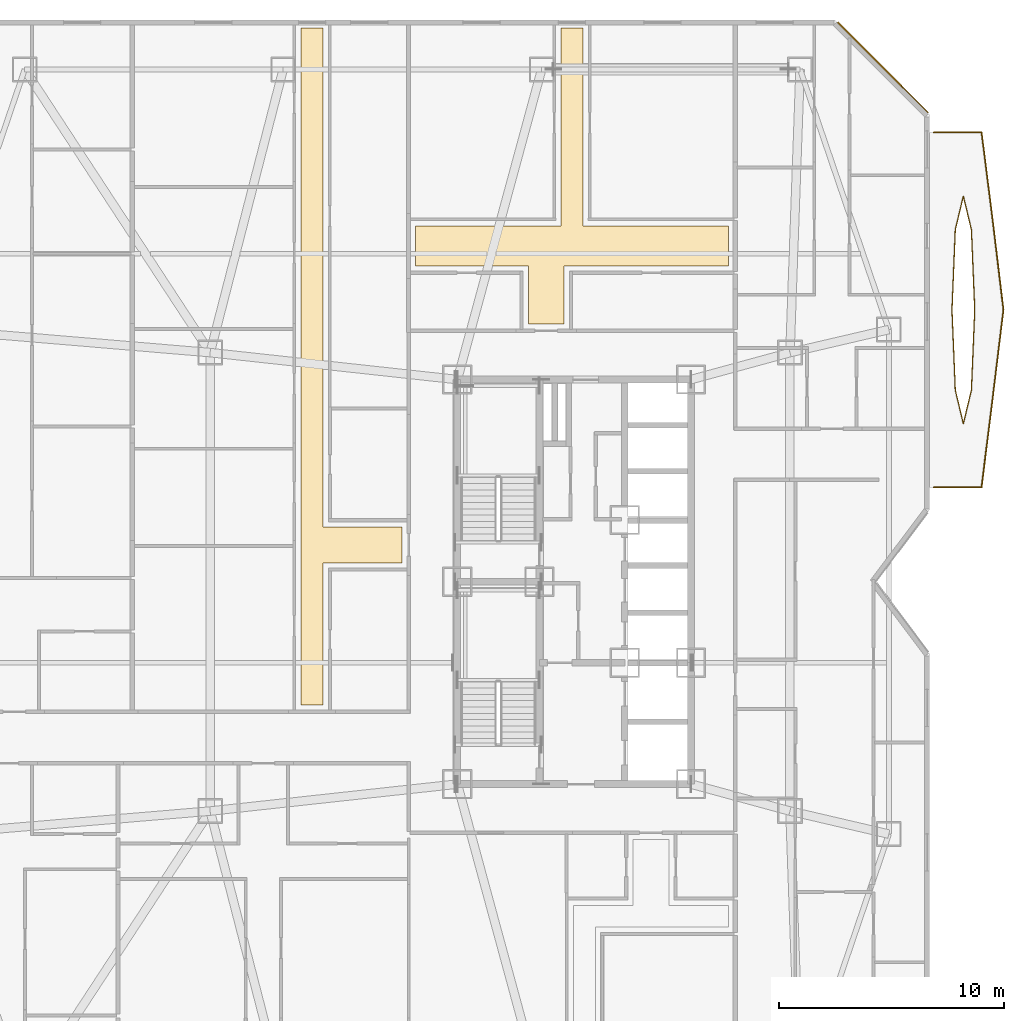
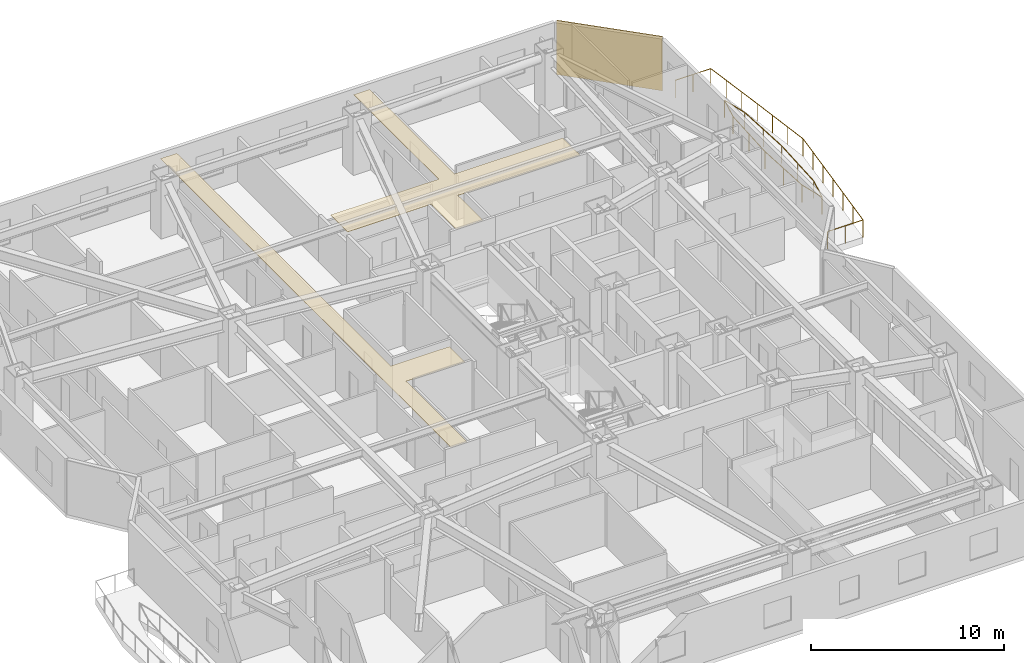
# One storey, part 17 of 17: 4 railings, 3 coverings.
"""IFC4 building model written with IfcOpenShell, lengths in metres."""

import ifcopenshell
import ifcopenshell.guid

model = None  # the IFC model being written
_history = None  # IfcOwnerHistory: only IFC2X3 demands one
_inside = {}  # id of a spatial element -> (the spatial element, [elements in it])
_under = {}  # id of a project, library or spatial element -> (it, [spatial elements below it])
_declared = {}  # id of a project -> (the project, [libraries it declares])
_typed = {}  # id of a type object -> (the type object, [elements of that type])
_made_of = {}  # id of a material, layer set ... -> (it, [elements and type objects made of it])


def new_model(schema):
    """Start an empty IFC model of exactly this schema.

    Asked for "IFC4X3", IfcOpenShell would pick the latest addendum, in which some entities
    have other attributes; the version numbers below select the first issue.
    IFC2X3 requires an IfcOwnerHistory on every rooted entity: one is made here for all.
    """
    global model, _history
    if schema == "IFC4X3":
        model = ifcopenshell.file(schema_version=(4, 3, 0, 0))
    else:
        model = ifcopenshell.file(schema=schema)
    _inside.clear()
    _under.clear()
    _declared.clear()
    _typed.clear()
    _made_of.clear()
    _history = None
    if model.schema == "IFC2X3":
        org = make("IfcOrganization", Name="unknown")
        user = make(
            "IfcPersonAndOrganization",
            ThePerson=make("IfcPerson", FamilyName="unknown"),
            TheOrganization=org,
        )
        app = make(
            "IfcApplication",
            ApplicationDeveloper=org,
            Version="unknown",
            ApplicationFullName="unknown",
            ApplicationIdentifier="unknown",
        )
        _history = make(
            "IfcOwnerHistory",
            OwningUser=user,
            OwningApplication=app,
            ChangeAction="ADDED",
            CreationDate=0,
        )
    return model


def make(cls, **values):
    """One entity of the class cls with the attributes given. An attribute that is None is left unset."""
    return model.create_entity(
        cls, **{name: value for name, value in values.items() if value is not None}
    )


def rooted(cls, **values):
    """An entity with a GlobalId (a new one), such as an element, a storey or a relation."""
    return make(cls, GlobalId=ifcopenshell.guid.new(), OwnerHistory=_history, **values)


def si_unit(unit_type, name, prefix=None):
    """IfcSIUnit, for example si_unit("LENGTHUNIT", "METRE", prefix="MILLI")."""
    return make("IfcSIUnit", UnitType=unit_type, Prefix=prefix, Name=name)


def assignment(units):
    """IfcUnitAssignment: the units of a project."""
    return None if units is None else make("IfcUnitAssignment", Units=units)


def point(xyz):
    """IfcCartesianPoint."""
    return None if xyz is None else make("IfcCartesianPoint", Coordinates=xyz)


def direction(xyz):
    """IfcDirection."""
    return None if xyz is None else make("IfcDirection", DirectionRatios=xyz)


def frame(location, z_axis=None, x_axis=None):
    """IfcAxis2Placement3D, a coordinate frame: its origin and axes. An axis left out is left unset."""
    return make(
        "IfcAxis2Placement3D",
        Location=point(location),
        Axis=direction(z_axis),
        RefDirection=direction(x_axis),
    )


def frame_2d(location, x_axis=None):
    """IfcAxis2Placement2D, a coordinate frame in the plane: its origin and x axis."""
    return make(
        "IfcAxis2Placement2D", Location=point(location), RefDirection=direction(x_axis)
    )


def origin():
    """The frame at (0, 0, 0) with its axes left unset."""
    return frame((0.0, 0.0, 0.0))


def origin_2d():
    """The frame at (0, 0) in the plane with its x axis left unset."""
    return frame_2d((0.0, 0.0))


def place(relative_to, where):
    """IfcLocalPlacement: puts the frame where relative to a parent placement (None: the world)."""
    return make(
        "IfcLocalPlacement", PlacementRelTo=relative_to, RelativePlacement=where
    )


def context(
    kind, dimensions, precision=None, world=None, true_north=None, identifier=None
):
    """IfcGeometricRepresentationContext, for example the 3D "Model" context."""
    return make(
        "IfcGeometricRepresentationContext",
        ContextIdentifier=identifier,
        ContextType=kind,
        CoordinateSpaceDimension=dimensions,
        Precision=precision,
        WorldCoordinateSystem=world,
        TrueNorth=true_north,
    )


def subcontext(parent, identifier, kind, view, scale=None):
    """IfcGeometricRepresentationSubContext, for example "Body" below "Model"."""
    return make(
        "IfcGeometricRepresentationSubContext",
        ContextIdentifier=identifier,
        ContextType=kind,
        ParentContext=parent,
        TargetScale=scale,
        TargetView=view,
    )


def project(units=None, contexts=None):
    """IfcProject with its units and contexts."""
    return rooted(
        "IfcProject",
        Name="project",
        RepresentationContexts=contexts,
        UnitsInContext=assignment(units),
    )


def spatial(cls, under=None, at=None, **own):
    """A site, building, storey or space (cls), placed at a placement, below another one or the project."""
    s = rooted(cls, ObjectPlacement=at, **own)
    if under is not None:
        _under.setdefault(under.id(), (under, []))[1].append(s)
    return s


def polyline(points):
    """IfcPolyline through the points."""
    return make("IfcPolyline", Points=[point(p) for p in points])


def profile(cls, at=None, kind="AREA", **sizes):
    """A parametric profile (cls). Its sizes go by their IFC names, for example OverallWidth=200.0."""
    return make(cls, ProfileType=kind, Position=at, **sizes)


def rectangle(**sizes):
    """IfcRectangleProfileDef."""
    return profile("IfcRectangleProfileDef", **sizes)


def circle(**sizes):
    """IfcCircleProfileDef."""
    return profile("IfcCircleProfileDef", **sizes)


def outline(outer, holes=None, kind="AREA"):
    """IfcArbitraryClosedProfileDef: a profile drawn as a closed curve; with holes, ...WithVoids."""
    if holes is None:
        return make("IfcArbitraryClosedProfileDef", ProfileType=kind, OuterCurve=outer)
    return make(
        "IfcArbitraryProfileDefWithVoids",
        ProfileType=kind,
        OuterCurve=outer,
        InnerCurves=holes,
    )


def extrude(swept, where, along, depth):
    """IfcExtrudedAreaSolid: the profile swept, set in the frame where, extruded along a direction by depth."""
    return make(
        "IfcExtrudedAreaSolid",
        SweptArea=swept,
        Position=where,
        ExtrudedDirection=direction(along),
        Depth=depth,
    )


def shape(context_of_items, identifier, shape_type, items):
    """IfcShapeRepresentation: the items that make up one representation, for example the "Body"."""
    return make(
        "IfcShapeRepresentation",
        ContextOfItems=context_of_items,
        RepresentationIdentifier=identifier,
        RepresentationType=shape_type,
        Items=items,
    )


def material(Name=None, Category=None):
    """IfcMaterial."""
    return make("IfcMaterial", Name=Name, Category=Category)


def layer(
    of_material, thickness, ventilated=None, Name=None, Category=None, Priority=None
):
    """IfcMaterialLayer: one layer of a wall or slab, of a material (None: an air gap)."""
    return make(
        "IfcMaterialLayer",
        Material=of_material,
        LayerThickness=thickness,
        IsVentilated=ventilated,
        Name=Name,
        Category=Category,
        Priority=Priority,
    )


def layer_set(layers, Name=None):
    """IfcMaterialLayerSet."""
    return make("IfcMaterialLayerSet", MaterialLayers=layers, LayerSetName=Name)


def made_of(thing, what):
    """Note that an element or type object is made of a material, layer set ...; save() writes the relation."""
    if what is not None:
        _made_of.setdefault(what.id(), (what, []))[1].append(thing)
    return thing


def type_object(cls, material=None, **own):
    """A type object (cls), such as IfcWallType, which elements share."""
    return made_of(rooted(cls, **own), material)


def element(
    cls,
    number,
    at=None,
    inside=None,
    cuts=None,
    type_object=None,
    material=None,
    context=None,
    identifier="Body",
    shape_type=None,
    held_by="IfcProductDefinitionShape",
    body=None,
    shapes=None,
    **own,
):
    """One element of the class cls, such as IfcWall. Its Tag is "e" and its number.

    at: its placement. inside: the storey or other place that contains it. cuts: it is an
    opening in that element (IfcRelVoidsElement). A single representation is given by context,
    identifier, shape_type and body (its items); several are given by shapes. held_by: the class
    of the entity that holds the representations. save() writes the other relations.
    """
    e = rooted(cls, Tag="e%d" % number, ObjectPlacement=at, **own)
    if body is not None:
        shapes = [shape(context, identifier, shape_type, body)]
    if shapes is not None:
        e.Representation = make(held_by, Representations=shapes)
    if inside is not None:
        _inside.setdefault(inside.id(), (inside, []))[1].append(e)
    if cuts is not None:
        rooted(
            "IfcRelVoidsElement", RelatingBuildingElement=cuts, RelatedOpeningElement=e
        )
    if type_object is not None:
        _typed.setdefault(type_object.id(), (type_object, []))[1].append(e)
    return made_of(e, material)


def aggregate(whole, parts):
    """IfcRelAggregates: a whole, such as a stair, and the parts it consists of."""
    return rooted("IfcRelAggregates", RelatingObject=whole, RelatedObjects=parts)


def save(model, path):
    """Write the relations noted so far, then the file.

    IfcRelAggregates (storeys below a building ...), IfcRelContainedInSpatialStructure (elements
    in a storey), IfcRelDefinesByType, IfcRelAssociatesMaterial and IfcRelDeclares: one each for
    every whole, place, type object, material and project.
    """
    for whole, parts in _under.values():
        aggregate(whole, parts)
    for where, things in _inside.values():
        rooted(
            "IfcRelContainedInSpatialStructure",
            RelatedElements=things,
            RelatingStructure=where,
        )
    for kind, things in _typed.values():
        rooted("IfcRelDefinesByType", RelatedObjects=things, RelatingType=kind)
    for what, things in _made_of.values():
        rooted("IfcRelAssociatesMaterial", RelatedObjects=things, RelatingMaterial=what)
    for by, libraries in _declared.values():
        rooted("IfcRelDeclares", RelatingContext=by, RelatedDefinitions=libraries)
    model.write(path)


model = new_model("IFC4")

# Units and contexts
model_context = context("Model", 3, precision=1e-05, world=origin(), true_north=direction((0.0, 1.0)))
body_context = subcontext(model_context, "Body", "Model", "MODEL_VIEW")
ifc_project = project(units=[si_unit("LENGTHUNIT", "METRE"), si_unit("AREAUNIT", "SQUARE_METRE"), si_unit("VOLUMEUNIT", "CUBIC_METRE"), si_unit("PLANEANGLEUNIT", "RADIAN"), si_unit("MASSUNIT", "GRAM", prefix="KILO")], contexts=[model_context])

# Site, building, storey
site_placement = place(None, origin())
site = spatial("IfcSite", under=ifc_project, at=site_placement, CompositionType="ELEMENT")
building_placement = place(site_placement, origin())
building = spatial("IfcBuilding", under=site, at=building_placement, Name="Khamvora Tower", CompositionType="ELEMENT")
storey_placement = place(building_placement, frame((0.0, 0.0, 44.25)))
storey = spatial("IfcBuildingStorey", under=building, at=storey_placement, Name="L10", CompositionType="ELEMENT", Elevation=44.25)

# Coverings
ifc_material_1 = material(Name="Perforated Mineral-Fibre Acoustic Ceiling Tile", Category="gypsum")
ifc_layer_1 = layer(ifc_material_1, 0.02490234375)
ifc_layer_set_1 = layer_set([ifc_layer_1], Name="Perforated Mineral-Fibre Acoustic Ceiling Tile")
covering_type_1 = type_object("IfcCoveringType", Name="COV-CEIL-600", PredefinedType="CEILING", material=ifc_layer_set_1)
covering_1_placement = place(storey_placement, frame((0.0, 0.0, 3.14990234375)))
element("IfcCovering", 1, at=covering_1_placement, inside=storey, type_object=covering_type_1, Name="L10 Apartment 10WC2 Living and Dining Room acoustic ceiling panel", PredefinedType="CEILING", context=body_context, shape_type="SweptSolid", body=[
    extrude(outline(polyline([(23.01904296875, 22.52001953125), (22.049072265625, 22.52001953125), (22.049072265625, 52.64990234375), (23.01904296875, 52.64990234375), (23.01904296875, 30.43603515625), (26.530029296875, 30.43603515625), (26.530029296875, 28.845947265625), (23.01904296875, 28.845947265625), (23.01904296875, 22.52001953125)])), origin(), (0.0, 0.0, 1.0), 0.025146484375),
])
covering_2_placement = place(storey_placement, frame((0.0, 0.0, 3.14990234375)))
element("IfcCovering", 2, at=covering_2_placement, inside=storey, type_object=covering_type_1, Name="L10 Apartment 10NA Living and Dining Room acoustic ceiling panel", PredefinedType="CEILING", context=body_context, shape_type="SweptSolid", body=[
    extrude(outline(polyline([(33.7451171875, 39.469970703125), (32.155029296875, 39.469970703125), (32.155029296875, 42.05908203125), (27.139892578125, 42.05908203125), (27.139892578125, 43.8291015625), (33.6201171875, 43.8291015625), (33.6201171875, 52.64990234375), (34.580078125, 52.64990234375), (34.580078125, 43.8291015625), (41.06005859375, 43.8291015625), (41.06005859375, 42.05908203125), (33.7451171875, 42.05908203125), (33.7451171875, 39.469970703125)])), origin(), (0.0, 0.0, 1.0), 0.025146484375),
])
ifc_material_2 = material(Name="Pale Anodised Aluminium Rainscreen Panel", Category="aluminium")
ifc_layer_2 = layer(ifc_material_2, 0.044921875)
ifc_layer_set_2 = layer_set([ifc_layer_2], Name="Pale Anodised Aluminium Rainscreen Panel")
covering_type_2 = type_object("IfcCoveringType", Name="COV-CLD-ALU", PredefinedType="CLADDING", material=ifc_layer_set_2)
covering_3_placement = place(storey_placement, frame((47.93701171875, 50.888916015625, 0.0), z_axis=(0.0, 0.0, 1.0), x_axis=(0.707106781187, -0.707106781187, 0.0)))
element("IfcCovering", 3, at=covering_3_placement, inside=storey, type_object=covering_type_2, Name="L10 chamfer rainscreen cladding 08.1", PredefinedType="CLADDING", context=body_context, shape_type="SweptSolid", body=[
    extrude(rectangle(XDim=5.680908203125, YDim=0.044921875, at=origin_2d()), origin(), (0.0, 0.0, 1.0), 3.429931640625),
])

# Railings
ifc_material_3 = material(Name="Stainless Steel 316 and Laminated Glass", Category="steel")
railing_type = type_object("IfcRailingType", Name="RAL-GAL-1120", PredefinedType="GUARDRAIL", material=ifc_material_3)
railing_1_placement = place(storey_placement, frame((50.199951171875, 32.199951171875, 0.0)))
element("IfcRailing", 4, at=railing_1_placement, inside=storey, type_object=railing_type, Name="L10 lens gallery south perimeter guardrail EL2", PredefinedType="GUARDRAIL", context=body_context, shape_type="SweptSolid", body=[
    extrude(circle(Radius=0.02392578125, at=origin_2d()), frame((0.0, 0.0, 1.09619140625), z_axis=(1.0, 0.0, 0.0), x_axis=(0.0, 1.0, 0.0)), (0.0, 0.0, 1.0), 2.125),
    extrude(circle(Radius=0.02392578125, at=origin_2d()), frame((2.125, 0.0, 1.09619140625), z_axis=(0.123589338109, 0.992333449757, 0.0), x_axis=(-0.992333449757, 0.123589338109, 0.0)), (0.0, 0.0, 1.0), 3.98046875),
    extrude(circle(Radius=0.02392578125, at=origin_2d()), frame((2.616943359375, 3.949951171875, 1.09619140625), z_axis=(0.121406738335, 0.992602842977, 0.0), x_axis=(-0.992602842977, 0.121406738335, 0.0)), (0.0, 0.0, 1.0), 3.979736328125),
    extrude(circle(Radius=0.02099609375, at=origin_2d()), origin(), (0.0, 0.0, 1.0), 1.072021484375),
    extrude(circle(Radius=0.02099609375, at=origin_2d()), frame((1.0625, 0.0, 0.0)), (0.0, 0.0, 1.0), 1.072021484375),
    extrude(circle(Radius=0.02099609375, at=origin_2d()), frame((2.125, 0.0, 0.0)), (0.0, 0.0, 1.0), 1.072021484375),
    extrude(circle(Radius=0.02099609375, at=origin_2d()), frame((2.2890625, 1.316650390625, 0.0)), (0.0, 0.0, 1.0), 1.072021484375),
    extrude(circle(Radius=0.02099609375, at=origin_2d()), frame((2.452880859375, 2.63330078125, 0.0)), (0.0, 0.0, 1.0), 1.072021484375),
    extrude(circle(Radius=0.02099609375, at=origin_2d()), frame((2.616943359375, 3.949951171875, 0.0)), (0.0, 0.0, 1.0), 1.072021484375),
    extrude(circle(Radius=0.02099609375, at=origin_2d()), frame((2.778076171875, 5.2666015625, 0.0)), (0.0, 0.0, 1.0), 1.072021484375),
    extrude(circle(Radius=0.02099609375, at=origin_2d()), frame((2.93896484375, 6.58349609375, 0.0)), (0.0, 0.0, 1.0), 1.072021484375),
    extrude(circle(Radius=0.02099609375, at=origin_2d()), frame((3.10009765625, 7.900146484375, 0.0)), (0.0, 0.0, 1.0), 1.072021484375),
])
railing_2_placement = place(storey_placement, frame((53.300048828125, 40.10009765625, 0.0)))
element("IfcRailing", 5, at=railing_2_placement, inside=storey, type_object=railing_type, Name="L10 lens gallery north perimeter guardrail EL2", PredefinedType="GUARDRAIL", context=body_context, shape_type="SweptSolid", body=[
    extrude(circle(Radius=0.02392578125, at=origin_2d()), frame((0.0, 0.0, 1.09619140625), z_axis=(-0.118934682724, 0.992902080391, 0.0), x_axis=(-0.992902080391, -0.118934682724, 0.0)), (0.0, 0.0, 1.0), 3.978271484375),
    extrude(circle(Radius=0.02392578125, at=origin_2d()), frame((-0.47314453125, 3.949951171875, 1.09619140625), z_axis=(-0.125823111741, 0.992052692427, 0.0), x_axis=(-0.992052692427, -0.125823111741, 0.0)), (0.0, 0.0, 1.0), 3.981689453125),
    extrude(circle(Radius=0.02392578125, at=origin_2d()), frame((-0.97412109375, 7.89990234375, 1.09619140625), z_axis=(-1.0, 0.0, 0.0), x_axis=(0.0, -1.0, 0.0)), (0.0, 0.0, 1.0), 2.1259765625),
    extrude(circle(Radius=0.02099609375, at=origin_2d()), origin(), (0.0, 0.0, 1.0), 1.072021484375),
    extrude(circle(Radius=0.02099609375, at=origin_2d()), frame((-0.15771484375, 1.316650390625, 0.0)), (0.0, 0.0, 1.0), 1.072021484375),
    extrude(circle(Radius=0.02099609375, at=origin_2d()), frame((-0.3154296875, 2.63330078125, 0.0)), (0.0, 0.0, 1.0), 1.072021484375),
    extrude(circle(Radius=0.02099609375, at=origin_2d()), frame((-0.47314453125, 3.949951171875, 0.0)), (0.0, 0.0, 1.0), 1.072021484375),
    extrude(circle(Radius=0.02099609375, at=origin_2d()), frame((-0.64013671875, 5.2666015625, 0.0)), (0.0, 0.0, 1.0), 1.072021484375),
    extrude(circle(Radius=0.02099609375, at=origin_2d()), frame((-0.80712890625, 6.583251953125, 0.0)), (0.0, 0.0, 1.0), 1.072021484375),
    extrude(circle(Radius=0.02099609375, at=origin_2d()), frame((-0.97412109375, 7.89990234375, 0.0)), (0.0, 0.0, 1.0), 1.072021484375),
    extrude(circle(Radius=0.02099609375, at=origin_2d()), frame((-2.037109375, 7.89990234375, 0.0)), (0.0, 0.0, 1.0), 1.072021484375),
    extrude(circle(Radius=0.02099609375, at=origin_2d()), frame((-3.10009765625, 7.89990234375, 0.0)), (0.0, 0.0, 1.0), 1.072021484375),
])
railing_3_placement = place(storey_placement, frame((52.01904296875, 40.10009765625, 0.0)))
element("IfcRailing", 6, at=railing_3_placement, inside=storey, type_object=railing_type, Name="L10 lens gallery void guardrail EL2A", PredefinedType="GUARDRAIL", context=body_context, shape_type="SweptSolid", body=[
    extrude(circle(Radius=0.02392578125, at=origin_2d()), frame((0.0, 0.0, 1.09619140625), z_axis=(-0.041349567233, 0.999144740911, 0.0), x_axis=(-0.999144740911, -0.041349567233, 0.0)), (0.0, 0.0, 1.0), 3.578125),
    extrude(circle(Radius=0.02392578125, at=origin_2d()), frame((-0.14794921875, 3.574951171875, 1.09619140625), z_axis=(-0.233851831104, 0.972272246384, 0.0), x_axis=(-0.972272246384, -0.233851831104, 0.0)), (0.0, 0.0, 1.0), 1.523193359375),
    extrude(circle(Radius=0.02392578125, at=origin_2d()), frame((-0.504150390625, 5.055908203125, 1.09619140625), z_axis=(-0.233700305622, -0.972308678945, 0.0), x_axis=(0.972308678945, -0.233700305622, 0.0)), (0.0, 0.0, 1.0), 1.523193359375),
    extrude(circle(Radius=0.02392578125, at=origin_2d()), frame((-0.860107421875, 3.574951171875, 1.09619140625), z_axis=(-0.041349567233, -0.999144740911, 0.0), x_axis=(0.999144740911, -0.041349567233, 0.0)), (0.0, 0.0, 1.0), 3.578125),
    extrude(circle(Radius=0.02099609375, at=origin_2d()), origin(), (0.0, 0.0, 1.0), 1.072021484375),
    extrude(circle(Radius=0.02099609375, at=origin_2d()), frame((-0.073974609375, 1.78759765625, 0.0)), (0.0, 0.0, 1.0), 1.072021484375),
    extrude(circle(Radius=0.02099609375, at=origin_2d()), frame((-0.14794921875, 3.574951171875, 0.0)), (0.0, 0.0, 1.0), 1.072021484375),
    extrude(circle(Radius=0.02099609375, at=origin_2d()), frame((-0.504150390625, 5.055908203125, 0.0)), (0.0, 0.0, 1.0), 1.072021484375),
    extrude(circle(Radius=0.02099609375, at=origin_2d()), frame((-0.860107421875, 3.574951171875, 0.0)), (0.0, 0.0, 1.0), 1.072021484375),
    extrude(circle(Radius=0.02099609375, at=origin_2d()), frame((-0.93408203125, 1.78759765625, 0.0)), (0.0, 0.0, 1.0), 1.072021484375),
    extrude(circle(Radius=0.02099609375, at=origin_2d()), frame((-1.008056640625, 0.0, 0.0)), (0.0, 0.0, 1.0), 1.072021484375),
])
railing_4_placement = place(storey_placement, frame((51.010986328125, 40.10009765625, 0.0)))
element("IfcRailing", 7, at=railing_4_placement, inside=storey, type_object=railing_type, Name="L10 lens gallery void guardrail EL2B", PredefinedType="GUARDRAIL", context=body_context, shape_type="SweptSolid", body=[
    extrude(circle(Radius=0.02392578125, at=origin_2d()), frame((0.0, 0.0, 1.09619140625), z_axis=(0.041346748408, -0.999144857564, 0.0), x_axis=(0.999144857564, 0.041346748408, 0.0)), (0.0, 0.0, 1.0), 3.578369140625),
    extrude(circle(Radius=0.02392578125, at=origin_2d()), frame((0.14794921875, -3.5751953125, 1.09619140625), z_axis=(0.233700305622, -0.972308678945, 0.0), x_axis=(0.972308678945, 0.233700305622, 0.0)), (0.0, 0.0, 1.0), 1.523193359375),
    extrude(circle(Radius=0.02392578125, at=origin_2d()), frame((0.50390625, -5.05615234375, 1.09619140625), z_axis=(0.233851831104, 0.972272246384, 0.0), x_axis=(-0.972272246384, 0.233851831104, 0.0)), (0.0, 0.0, 1.0), 1.523193359375),
    extrude(circle(Radius=0.02392578125, at=origin_2d()), frame((0.860107421875, -3.5751953125, 1.09619140625), z_axis=(0.041346748408, 0.999144857564, 0.0), x_axis=(-0.999144857564, 0.041346748408, 0.0)), (0.0, 0.0, 1.0), 3.578369140625),
    extrude(circle(Radius=0.02099609375, at=origin_2d()), origin(), (0.0, 0.0, 1.0), 1.072021484375),
    extrude(circle(Radius=0.02099609375, at=origin_2d()), frame((0.073974609375, -1.78759765625, 0.0)), (0.0, 0.0, 1.0), 1.072021484375),
    extrude(circle(Radius=0.02099609375, at=origin_2d()), frame((0.14794921875, -3.5751953125, 0.0)), (0.0, 0.0, 1.0), 1.072021484375),
    extrude(circle(Radius=0.02099609375, at=origin_2d()), frame((0.50390625, -5.05615234375, 0.0)), (0.0, 0.0, 1.0), 1.072021484375),
    extrude(circle(Radius=0.02099609375, at=origin_2d()), frame((0.860107421875, -3.5751953125, 0.0)), (0.0, 0.0, 1.0), 1.072021484375),
    extrude(circle(Radius=0.02099609375, at=origin_2d()), frame((0.93408203125, -1.78759765625, 0.0)), (0.0, 0.0, 1.0), 1.072021484375),
    extrude(circle(Radius=0.02099609375, at=origin_2d()), frame((1.008056640625, 0.0, 0.0)), (0.0, 0.0, 1.0), 1.072021484375),
])

save(model, "model.ifc")
